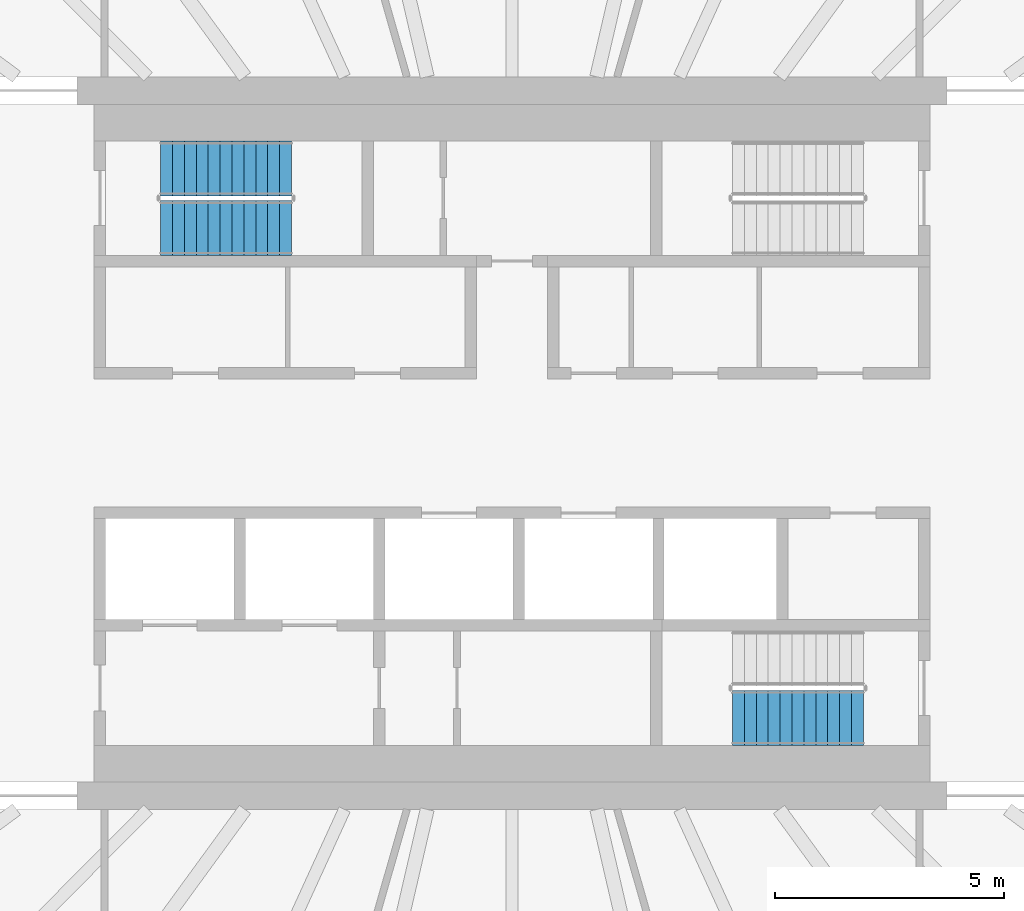
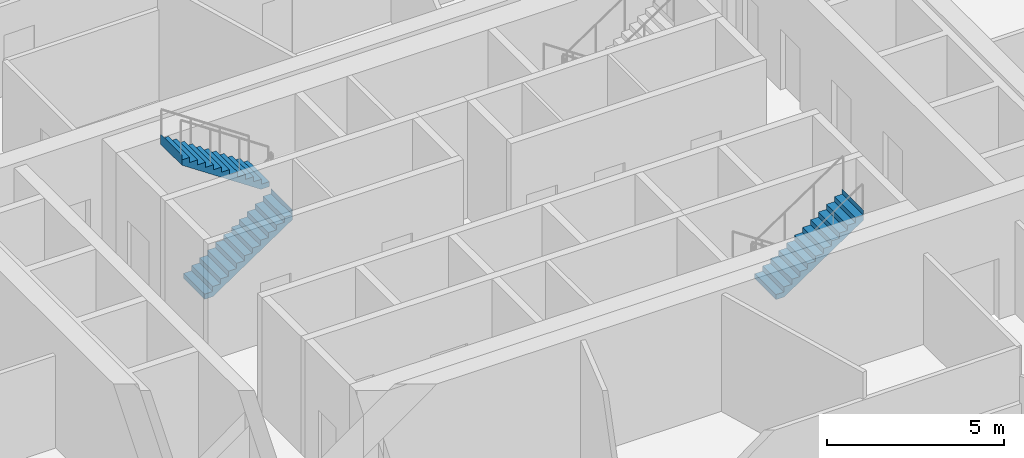
# One storey, part 16 of 23: 3 stair flights, 2 elements without a shape of their own.
"""IFC4 building model written with IfcOpenShell, lengths in metres."""

from ifc_helpers import new_model, si_unit, direction, frame, origin, place, context, subcontext, project, spatial, triangles, material, type_object, element, aggregate, save


model = new_model("IFC4")

# Units and contexts
model_context = context("Model", 3, precision=1e-05, world=origin(), true_north=direction((0.0, 1.0)))
body_context = subcontext(model_context, "Body", "Model", "MODEL_VIEW")
ifc_project = project(units=[si_unit("LENGTHUNIT", "METRE"), si_unit("AREAUNIT", "SQUARE_METRE"), si_unit("VOLUMEUNIT", "CUBIC_METRE"), si_unit("PLANEANGLEUNIT", "RADIAN"), si_unit("MASSUNIT", "GRAM", prefix="KILO")], contexts=[model_context])

# Site, building, storey
site_placement = place(None, origin())
site = spatial("IfcSite", under=ifc_project, at=site_placement, CompositionType="ELEMENT")
building_placement = place(site_placement, origin())
building = spatial("IfcBuilding", under=site, at=building_placement, Name="Sahrelin Media Tower", CompositionType="ELEMENT")
storey_placement = place(building_placement, frame((0.0, 0.0, 54.60009765625)))
storey = spatial("IfcBuildingStorey", under=building, at=storey_placement, Name="L08", CompositionType="ELEMENT", Elevation=54.60009765625)

# Stair, stair flights
ifc_material = material(Name="Concrete C40/50", Category="concrete")
stair_type = type_object("IfcStairType", Name="Exit stair 1200", PredefinedType="HALF_TURN_STAIR", material=ifc_material)
placement = place(storey_placement, origin())
stair_1 = element("IfcStair", 1, at=placement, inside=storey, type_object=stair_type, Name="L08 Exit stair ST1", PredefinedType="HALF_TURN_STAIR")
stair_flight_type = type_object("IfcStairFlightType", Name="Stair flight 1200", PredefinedType="STRAIGHT", material=ifc_material)
stair_flight_1_placement = place(storey_placement, frame((-7.675048828125, 4.699951171875, 0.0), z_axis=(0.0, 0.0, 1.0), x_axis=(1.0, 0.0, 0.0)))
stair_flight_1 = element("IfcStairFlight", 2, at=stair_flight_1_placement, type_object=stair_flight_type, Name="ST1 flight 1", NumberOfRisers=12, NumberOfTreads=11, PredefinedType="STRAIGHT", RiserHeight=0.175, TreadLength=0.26, context=body_context, shape_type="Tessellation", body=[
    triangles([(0.2685546875, 0.60009765625, 0.0), (0.2685546875, 0.300048828125, 0.0), (0.2685546875, 0.0, 0.0), (0.2685546875, -0.300048828125, 0.0), (0.2685546875, -0.60009765625, 0.0), (2.860107421875, 0.60009765625, 1.744384765625), (2.860107421875, 0.300048828125, 1.744384765625), (2.860107421875, 0.0, 1.744384765625), (2.860107421875, -0.300048828125, 1.744384765625), (2.860107421875, -0.60009765625, 1.744384765625), (2.860107421875, 0.60009765625, 2.10009765625), (2.860107421875, 0.300048828125, 2.10009765625), (2.860107421875, 0.0, 2.10009765625), (2.860107421875, -0.300048828125, 2.10009765625), (2.860107421875, -0.60009765625, 2.10009765625), (2.85791015625, 0.60009765625, 2.10009765625), (2.85791015625, 0.300048828125, 2.10009765625), (2.85791015625, 0.0, 2.10009765625), (2.85791015625, -0.300048828125, 2.10009765625), (2.85791015625, -0.60009765625, 2.10009765625), (2.85791015625, 0.60009765625, 1.925048828125), (2.85791015625, 0.300048828125, 1.925048828125), (2.85791015625, 0.0, 1.925048828125), (2.85791015625, -0.300048828125, 1.925048828125), (2.85791015625, -0.60009765625, 1.925048828125), (2.60009765625, 0.60009765625, 1.925048828125), (2.60009765625, 0.300048828125, 1.925048828125), (2.60009765625, 0.0, 1.925048828125), (2.60009765625, -0.300048828125, 1.925048828125), (2.60009765625, -0.60009765625, 1.925048828125), (2.60009765625, 0.60009765625, 1.75), (2.60009765625, 0.300048828125, 1.75), (2.60009765625, 0.0, 1.75), (2.60009765625, -0.300048828125, 1.75), (2.60009765625, -0.60009765625, 1.75), (2.340087890625, 0.60009765625, 1.75), (2.340087890625, 0.300048828125, 1.75), (2.340087890625, 0.0, 1.75), (2.340087890625, -0.300048828125, 1.75), (2.340087890625, -0.60009765625, 1.75), (2.340087890625, 0.60009765625, 1.574951171875), (2.340087890625, 0.300048828125, 1.574951171875), (2.340087890625, 0.0, 1.574951171875), (2.340087890625, -0.300048828125, 1.574951171875), (2.340087890625, -0.60009765625, 1.574951171875), (2.080078125, 0.60009765625, 1.574951171875), (2.080078125, 0.300048828125, 1.574951171875), (2.080078125, 0.0, 1.574951171875), (2.080078125, -0.300048828125, 1.574951171875), (2.080078125, -0.60009765625, 1.574951171875), (2.080078125, 0.60009765625, 1.39990234375), (2.080078125, 0.300048828125, 1.39990234375), (2.080078125, 0.0, 1.39990234375), (2.080078125, -0.300048828125, 1.39990234375), (2.080078125, -0.60009765625, 1.39990234375), (1.820068359375, 0.60009765625, 1.39990234375), (1.820068359375, 0.300048828125, 1.39990234375), (1.820068359375, 0.0, 1.39990234375), (1.820068359375, -0.300048828125, 1.39990234375), (1.820068359375, -0.60009765625, 1.39990234375), (1.820068359375, 0.60009765625, 1.22509765625), (1.820068359375, 0.300048828125, 1.22509765625), (1.820068359375, 0.0, 1.22509765625), (1.820068359375, -0.300048828125, 1.22509765625), (1.820068359375, -0.60009765625, 1.22509765625), (1.56005859375, 0.60009765625, 1.22509765625), (1.56005859375, 0.300048828125, 1.22509765625), (1.56005859375, 0.0, 1.22509765625), (1.56005859375, -0.300048828125, 1.22509765625), (1.56005859375, -0.60009765625, 1.22509765625), (1.56005859375, 0.60009765625, 1.050048828125), (1.56005859375, 0.300048828125, 1.050048828125), (1.56005859375, 0.0, 1.050048828125), (1.56005859375, -0.300048828125, 1.050048828125), (1.56005859375, -0.60009765625, 1.050048828125), (1.300048828125, 0.60009765625, 1.050048828125), (1.300048828125, 0.300048828125, 1.050048828125), (1.300048828125, 0.0, 1.050048828125), (1.300048828125, -0.300048828125, 1.050048828125), (1.300048828125, -0.60009765625, 1.050048828125), (1.300048828125, 0.60009765625, 0.875), (1.300048828125, 0.300048828125, 0.875), (1.300048828125, 0.0, 0.875), (1.300048828125, -0.300048828125, 0.875), (1.300048828125, -0.60009765625, 0.875), (1.0400390625, 0.60009765625, 0.875), (1.0400390625, 0.300048828125, 0.875), (1.0400390625, 0.0, 0.875), (1.0400390625, -0.300048828125, 0.875), (1.0400390625, -0.60009765625, 0.875), (1.0400390625, 0.60009765625, 0.699951171875), (1.0400390625, 0.300048828125, 0.699951171875), (1.0400390625, 0.0, 0.699951171875), (1.0400390625, -0.300048828125, 0.699951171875), (1.0400390625, -0.60009765625, 0.699951171875), (0.780029296875, 0.60009765625, 0.699951171875), (0.780029296875, 0.300048828125, 0.699951171875), (0.780029296875, 0.0, 0.699951171875), (0.780029296875, -0.300048828125, 0.699951171875), (0.780029296875, -0.60009765625, 0.699951171875), (0.780029296875, 0.60009765625, 0.52490234375), (0.780029296875, 0.300048828125, 0.52490234375), (0.780029296875, 0.0, 0.52490234375), (0.780029296875, -0.300048828125, 0.52490234375), (0.780029296875, -0.60009765625, 0.52490234375), (0.52001953125, 0.60009765625, 0.52490234375), (0.52001953125, 0.300048828125, 0.52490234375), (0.52001953125, 0.0, 0.52490234375), (0.52001953125, -0.300048828125, 0.52490234375), (0.52001953125, -0.60009765625, 0.52490234375), (0.52001953125, 0.60009765625, 0.35009765625), (0.52001953125, 0.300048828125, 0.35009765625), (0.52001953125, 0.0, 0.35009765625), (0.52001953125, -0.300048828125, 0.35009765625), (0.52001953125, -0.60009765625, 0.35009765625), (0.260009765625, 0.60009765625, 0.35009765625), (0.260009765625, 0.300048828125, 0.35009765625), (0.260009765625, 0.0, 0.35009765625), (0.260009765625, -0.300048828125, 0.35009765625), (0.260009765625, -0.60009765625, 0.35009765625), (0.260009765625, 0.60009765625, 0.175048828125), (0.260009765625, 0.300048828125, 0.175048828125), (0.260009765625, 0.0, 0.175048828125), (0.260009765625, -0.300048828125, 0.175048828125), (0.260009765625, -0.60009765625, 0.175048828125), (0.0, 0.60009765625, 0.175048828125), (0.0, 0.300048828125, 0.175048828125), (0.0, 0.0, 0.175048828125), (0.0, -0.300048828125, 0.175048828125), (0.0, -0.60009765625, 0.175048828125), (0.0, 0.60009765625, 0.0), (0.0, 0.300048828125, 0.0), (0.0, 0.0, 0.0), (0.0, -0.300048828125, 0.0), (0.0, -0.60009765625, 0.0)], [[1, 6, 7], [1, 7, 2], [2, 7, 8], [2, 8, 3], [3, 8, 9], [3, 9, 4], [4, 9, 10], [4, 10, 5], [6, 11, 12], [6, 12, 7], [7, 12, 13], [7, 13, 8], [8, 13, 14], [8, 14, 9], [9, 14, 15], [9, 15, 10], [11, 16, 17], [11, 17, 12], [12, 17, 18], [12, 18, 13], [13, 18, 19], [13, 19, 14], [14, 19, 20], [14, 20, 15], [16, 21, 22], [16, 22, 17], [17, 22, 23], [17, 23, 18], [18, 23, 24], [18, 24, 19], [19, 24, 25], [19, 25, 20], [21, 26, 27], [21, 27, 22], [22, 27, 28], [22, 28, 23], [23, 28, 29], [23, 29, 24], [24, 29, 30], [24, 30, 25], [26, 31, 32], [26, 32, 27], [27, 32, 33], [27, 33, 28], [28, 33, 34], [28, 34, 29], [29, 34, 35], [29, 35, 30], [31, 36, 37], [31, 37, 32], [32, 37, 38], [32, 38, 33], [33, 38, 39], [33, 39, 34], [34, 39, 40], [34, 40, 35], [36, 41, 42], [36, 42, 37], [37, 42, 43], [37, 43, 38], [38, 43, 44], [38, 44, 39], [39, 44, 45], [39, 45, 40], [41, 46, 47], [41, 47, 42], [42, 47, 48], [42, 48, 43], [43, 48, 49], [43, 49, 44], [44, 49, 50], [44, 50, 45], [46, 51, 52], [46, 52, 47], [47, 52, 53], [47, 53, 48], [48, 53, 54], [48, 54, 49], [49, 54, 55], [49, 55, 50], [51, 56, 57], [51, 57, 52], [52, 57, 58], [52, 58, 53], [53, 58, 59], [53, 59, 54], [54, 59, 60], [54, 60, 55], [56, 61, 62], [56, 62, 57], [57, 62, 63], [57, 63, 58], [58, 63, 64], [58, 64, 59], [59, 64, 65], [59, 65, 60], [61, 66, 67], [61, 67, 62], [62, 67, 68], [62, 68, 63], [63, 68, 69], [63, 69, 64], [64, 69, 70], [64, 70, 65], [66, 71, 72], [66, 72, 67], [67, 72, 73], [67, 73, 68], [68, 73, 74], [68, 74, 69], [69, 74, 75], [69, 75, 70], [71, 76, 77], [71, 77, 72], [72, 77, 78], [72, 78, 73], [73, 78, 79], [73, 79, 74], [74, 79, 80], [74, 80, 75], [76, 81, 82], [76, 82, 77], [77, 82, 83], [77, 83, 78], [78, 83, 84], [78, 84, 79], [79, 84, 85], [79, 85, 80], [81, 86, 87], [81, 87, 82], [82, 87, 88], [82, 88, 83], [83, 88, 89], [83, 89, 84], [84, 89, 90], [84, 90, 85], [86, 91, 92], [86, 92, 87], [87, 92, 93], [87, 93, 88], [88, 93, 94], [88, 94, 89], [89, 94, 95], [89, 95, 90], [91, 96, 97], [91, 97, 92], [92, 97, 98], [92, 98, 93], [93, 98, 99], [93, 99, 94], [94, 99, 100], [94, 100, 95], [96, 101, 102], [96, 102, 97], [97, 102, 103], [97, 103, 98], [98, 103, 104], [98, 104, 99], [99, 104, 105], [99, 105, 100], [101, 106, 107], [101, 107, 102], [102, 107, 108], [102, 108, 103], [103, 108, 109], [103, 109, 104], [104, 109, 110], [104, 110, 105], [106, 111, 112], [106, 112, 107], [107, 112, 113], [107, 113, 108], [108, 113, 114], [108, 114, 109], [109, 114, 115], [109, 115, 110], [111, 116, 117], [111, 117, 112], [112, 117, 118], [112, 118, 113], [113, 118, 119], [113, 119, 114], [114, 119, 120], [114, 120, 115], [116, 121, 122], [116, 122, 117], [117, 122, 123], [117, 123, 118], [118, 123, 124], [118, 124, 119], [119, 124, 125], [119, 125, 120], [121, 126, 127], [121, 127, 122], [122, 127, 128], [122, 128, 123], [123, 128, 129], [123, 129, 124], [124, 129, 130], [124, 130, 125], [126, 131, 132], [126, 132, 127], [127, 132, 133], [127, 133, 128], [128, 133, 134], [128, 134, 129], [129, 134, 135], [129, 135, 130], [131, 1, 2], [131, 2, 132], [132, 2, 3], [132, 3, 133], [133, 3, 4], [133, 4, 134], [134, 4, 5], [134, 5, 135], [125, 130, 135], [121, 131, 126], [125, 115, 120], [121, 116, 111], [115, 105, 110], [111, 106, 101], [105, 95, 100], [101, 96, 91], [95, 85, 90], [91, 86, 81], [85, 75, 80], [81, 76, 71], [75, 65, 70], [71, 66, 61], [65, 55, 60], [61, 56, 51], [55, 45, 50], [51, 46, 41], [45, 35, 40], [41, 36, 31], [35, 25, 30], [31, 26, 21], [25, 15, 20], [21, 16, 11], [135, 5, 125], [131, 121, 1], [95, 105, 5], [91, 1, 101], [5, 10, 75], [1, 71, 6], [10, 35, 45], [6, 41, 31], [25, 10, 15], [21, 11, 6], [115, 125, 5], [111, 1, 121], [75, 85, 5], [71, 1, 81], [35, 10, 25], [31, 21, 6], [105, 115, 5], [101, 1, 111], [45, 55, 10], [41, 6, 51], [85, 95, 5], [81, 1, 91], [65, 10, 55], [61, 51, 6], [10, 65, 75], [6, 71, 61]], closed=True),
])
stair_flight_2_placement = place(storey_placement, frame((-4.81494140625, 6.0, 2.099853515625), z_axis=(0.0, 0.0, 1.0), x_axis=(-1.0, 0.0, 0.0)))
stair_flight_2 = element("IfcStairFlight", 3, at=stair_flight_2_placement, type_object=stair_flight_type, Name="ST1 flight 2", NumberOfRisers=12, NumberOfTreads=11, PredefinedType="STRAIGHT", RiserHeight=0.175, TreadLength=0.26, context=body_context, shape_type="Tessellation", body=[
    triangles([(0.2685546875, 0.60009765625, 0.0), (0.2685546875, 0.300048828125, 0.0), (0.2685546875, 0.0, 0.0), (0.2685546875, -0.300048828125, 0.0), (0.2685546875, -0.60009765625, 0.0), (2.860107421875, 0.60009765625, 1.744384765625), (2.860107421875, 0.300048828125, 1.744384765625), (2.860107421875, 0.0, 1.744384765625), (2.860107421875, -0.300048828125, 1.744384765625), (2.860107421875, -0.60009765625, 1.744384765625), (2.860107421875, 0.60009765625, 2.10009765625), (2.860107421875, 0.300048828125, 2.10009765625), (2.860107421875, 0.0, 2.10009765625), (2.860107421875, -0.300048828125, 2.10009765625), (2.860107421875, -0.60009765625, 2.10009765625), (2.85791015625, 0.60009765625, 2.10009765625), (2.85791015625, 0.300048828125, 2.10009765625), (2.85791015625, 0.0, 2.10009765625), (2.85791015625, -0.300048828125, 2.10009765625), (2.85791015625, -0.60009765625, 2.10009765625), (2.85791015625, 0.60009765625, 1.925048828125), (2.85791015625, 0.300048828125, 1.925048828125), (2.85791015625, 0.0, 1.925048828125), (2.85791015625, -0.300048828125, 1.925048828125), (2.85791015625, -0.60009765625, 1.925048828125), (2.60009765625, 0.60009765625, 1.925048828125), (2.60009765625, 0.300048828125, 1.925048828125), (2.60009765625, 0.0, 1.925048828125), (2.60009765625, -0.300048828125, 1.925048828125), (2.60009765625, -0.60009765625, 1.925048828125), (2.60009765625, 0.60009765625, 1.75), (2.60009765625, 0.300048828125, 1.75), (2.60009765625, 0.0, 1.75), (2.60009765625, -0.300048828125, 1.75), (2.60009765625, -0.60009765625, 1.75), (2.340087890625, 0.60009765625, 1.75), (2.340087890625, 0.300048828125, 1.75), (2.340087890625, 0.0, 1.75), (2.340087890625, -0.300048828125, 1.75), (2.340087890625, -0.60009765625, 1.75), (2.340087890625, 0.60009765625, 1.574951171875), (2.340087890625, 0.300048828125, 1.574951171875), (2.340087890625, 0.0, 1.574951171875), (2.340087890625, -0.300048828125, 1.574951171875), (2.340087890625, -0.60009765625, 1.574951171875), (2.080078125, 0.60009765625, 1.574951171875), (2.080078125, 0.300048828125, 1.574951171875), (2.080078125, 0.0, 1.574951171875), (2.080078125, -0.300048828125, 1.574951171875), (2.080078125, -0.60009765625, 1.574951171875), (2.080078125, 0.60009765625, 1.39990234375), (2.080078125, 0.300048828125, 1.39990234375), (2.080078125, 0.0, 1.39990234375), (2.080078125, -0.300048828125, 1.39990234375), (2.080078125, -0.60009765625, 1.39990234375), (1.820068359375, 0.60009765625, 1.39990234375), (1.820068359375, 0.300048828125, 1.39990234375), (1.820068359375, 0.0, 1.39990234375), (1.820068359375, -0.300048828125, 1.39990234375), (1.820068359375, -0.60009765625, 1.39990234375), (1.820068359375, 0.60009765625, 1.22509765625), (1.820068359375, 0.300048828125, 1.22509765625), (1.820068359375, 0.0, 1.22509765625), (1.820068359375, -0.300048828125, 1.22509765625), (1.820068359375, -0.60009765625, 1.22509765625), (1.56005859375, 0.60009765625, 1.22509765625), (1.56005859375, 0.300048828125, 1.22509765625), (1.56005859375, 0.0, 1.22509765625), (1.56005859375, -0.300048828125, 1.22509765625), (1.56005859375, -0.60009765625, 1.22509765625), (1.56005859375, 0.60009765625, 1.050048828125), (1.56005859375, 0.300048828125, 1.050048828125), (1.56005859375, 0.0, 1.050048828125), (1.56005859375, -0.300048828125, 1.050048828125), (1.56005859375, -0.60009765625, 1.050048828125), (1.300048828125, 0.60009765625, 1.050048828125), (1.300048828125, 0.300048828125, 1.050048828125), (1.300048828125, 0.0, 1.050048828125), (1.300048828125, -0.300048828125, 1.050048828125), (1.300048828125, -0.60009765625, 1.050048828125), (1.300048828125, 0.60009765625, 0.875), (1.300048828125, 0.300048828125, 0.875), (1.300048828125, 0.0, 0.875), (1.300048828125, -0.300048828125, 0.875), (1.300048828125, -0.60009765625, 0.875), (1.0400390625, 0.60009765625, 0.875), (1.0400390625, 0.300048828125, 0.875), (1.0400390625, 0.0, 0.875), (1.0400390625, -0.300048828125, 0.875), (1.0400390625, -0.60009765625, 0.875), (1.0400390625, 0.60009765625, 0.699951171875), (1.0400390625, 0.300048828125, 0.699951171875), (1.0400390625, 0.0, 0.699951171875), (1.0400390625, -0.300048828125, 0.699951171875), (1.0400390625, -0.60009765625, 0.699951171875), (0.780029296875, 0.60009765625, 0.699951171875), (0.780029296875, 0.300048828125, 0.699951171875), (0.780029296875, 0.0, 0.699951171875), (0.780029296875, -0.300048828125, 0.699951171875), (0.780029296875, -0.60009765625, 0.699951171875), (0.780029296875, 0.60009765625, 0.52490234375), (0.780029296875, 0.300048828125, 0.52490234375), (0.780029296875, 0.0, 0.52490234375), (0.780029296875, -0.300048828125, 0.52490234375), (0.780029296875, -0.60009765625, 0.52490234375), (0.52001953125, 0.60009765625, 0.52490234375), (0.52001953125, 0.300048828125, 0.52490234375), (0.52001953125, 0.0, 0.52490234375), (0.52001953125, -0.300048828125, 0.52490234375), (0.52001953125, -0.60009765625, 0.52490234375), (0.52001953125, 0.60009765625, 0.35009765625), (0.52001953125, 0.300048828125, 0.35009765625), (0.52001953125, 0.0, 0.35009765625), (0.52001953125, -0.300048828125, 0.35009765625), (0.52001953125, -0.60009765625, 0.35009765625), (0.260009765625, 0.60009765625, 0.35009765625), (0.260009765625, 0.300048828125, 0.35009765625), (0.260009765625, 0.0, 0.35009765625), (0.260009765625, -0.300048828125, 0.35009765625), (0.260009765625, -0.60009765625, 0.35009765625), (0.260009765625, 0.60009765625, 0.175048828125), (0.260009765625, 0.300048828125, 0.175048828125), (0.260009765625, 0.0, 0.175048828125), (0.260009765625, -0.300048828125, 0.175048828125), (0.260009765625, -0.60009765625, 0.175048828125), (0.0, 0.60009765625, 0.175048828125), (0.0, 0.300048828125, 0.175048828125), (0.0, 0.0, 0.175048828125), (0.0, -0.300048828125, 0.175048828125), (0.0, -0.60009765625, 0.175048828125), (0.0, 0.60009765625, 0.0), (0.0, 0.300048828125, 0.0), (0.0, 0.0, 0.0), (0.0, -0.300048828125, 0.0), (0.0, -0.60009765625, 0.0)], [[1, 6, 7], [1, 7, 2], [2, 7, 8], [2, 8, 3], [3, 8, 9], [3, 9, 4], [4, 9, 10], [4, 10, 5], [6, 11, 12], [6, 12, 7], [7, 12, 13], [7, 13, 8], [8, 13, 14], [8, 14, 9], [9, 14, 15], [9, 15, 10], [11, 16, 17], [11, 17, 12], [12, 17, 18], [12, 18, 13], [13, 18, 19], [13, 19, 14], [14, 19, 20], [14, 20, 15], [16, 21, 22], [16, 22, 17], [17, 22, 23], [17, 23, 18], [18, 23, 24], [18, 24, 19], [19, 24, 25], [19, 25, 20], [21, 26, 27], [21, 27, 22], [22, 27, 28], [22, 28, 23], [23, 28, 29], [23, 29, 24], [24, 29, 30], [24, 30, 25], [26, 31, 32], [26, 32, 27], [27, 32, 33], [27, 33, 28], [28, 33, 34], [28, 34, 29], [29, 34, 35], [29, 35, 30], [31, 36, 37], [31, 37, 32], [32, 37, 38], [32, 38, 33], [33, 38, 39], [33, 39, 34], [34, 39, 40], [34, 40, 35], [36, 41, 42], [36, 42, 37], [37, 42, 43], [37, 43, 38], [38, 43, 44], [38, 44, 39], [39, 44, 45], [39, 45, 40], [41, 46, 47], [41, 47, 42], [42, 47, 48], [42, 48, 43], [43, 48, 49], [43, 49, 44], [44, 49, 50], [44, 50, 45], [46, 51, 52], [46, 52, 47], [47, 52, 53], [47, 53, 48], [48, 53, 54], [48, 54, 49], [49, 54, 55], [49, 55, 50], [51, 56, 57], [51, 57, 52], [52, 57, 58], [52, 58, 53], [53, 58, 59], [53, 59, 54], [54, 59, 60], [54, 60, 55], [56, 61, 62], [56, 62, 57], [57, 62, 63], [57, 63, 58], [58, 63, 64], [58, 64, 59], [59, 64, 65], [59, 65, 60], [61, 66, 67], [61, 67, 62], [62, 67, 68], [62, 68, 63], [63, 68, 69], [63, 69, 64], [64, 69, 70], [64, 70, 65], [66, 71, 72], [66, 72, 67], [67, 72, 73], [67, 73, 68], [68, 73, 74], [68, 74, 69], [69, 74, 75], [69, 75, 70], [71, 76, 77], [71, 77, 72], [72, 77, 78], [72, 78, 73], [73, 78, 79], [73, 79, 74], [74, 79, 80], [74, 80, 75], [76, 81, 82], [76, 82, 77], [77, 82, 83], [77, 83, 78], [78, 83, 84], [78, 84, 79], [79, 84, 85], [79, 85, 80], [81, 86, 87], [81, 87, 82], [82, 87, 88], [82, 88, 83], [83, 88, 89], [83, 89, 84], [84, 89, 90], [84, 90, 85], [86, 91, 92], [86, 92, 87], [87, 92, 93], [87, 93, 88], [88, 93, 94], [88, 94, 89], [89, 94, 95], [89, 95, 90], [91, 96, 97], [91, 97, 92], [92, 97, 98], [92, 98, 93], [93, 98, 99], [93, 99, 94], [94, 99, 100], [94, 100, 95], [96, 101, 102], [96, 102, 97], [97, 102, 103], [97, 103, 98], [98, 103, 104], [98, 104, 99], [99, 104, 105], [99, 105, 100], [101, 106, 107], [101, 107, 102], [102, 107, 108], [102, 108, 103], [103, 108, 109], [103, 109, 104], [104, 109, 110], [104, 110, 105], [106, 111, 112], [106, 112, 107], [107, 112, 113], [107, 113, 108], [108, 113, 114], [108, 114, 109], [109, 114, 115], [109, 115, 110], [111, 116, 117], [111, 117, 112], [112, 117, 118], [112, 118, 113], [113, 118, 119], [113, 119, 114], [114, 119, 120], [114, 120, 115], [116, 121, 122], [116, 122, 117], [117, 122, 123], [117, 123, 118], [118, 123, 124], [118, 124, 119], [119, 124, 125], [119, 125, 120], [121, 126, 127], [121, 127, 122], [122, 127, 128], [122, 128, 123], [123, 128, 129], [123, 129, 124], [124, 129, 130], [124, 130, 125], [126, 131, 132], [126, 132, 127], [127, 132, 133], [127, 133, 128], [128, 133, 134], [128, 134, 129], [129, 134, 135], [129, 135, 130], [131, 1, 2], [131, 2, 132], [132, 2, 3], [132, 3, 133], [133, 3, 4], [133, 4, 134], [134, 4, 5], [134, 5, 135], [125, 130, 135], [121, 131, 126], [125, 115, 120], [121, 116, 111], [115, 105, 110], [111, 106, 101], [105, 95, 100], [101, 96, 91], [95, 85, 90], [91, 86, 81], [85, 75, 80], [81, 76, 71], [75, 65, 70], [71, 66, 61], [65, 55, 60], [61, 56, 51], [55, 45, 50], [51, 46, 41], [45, 35, 40], [41, 36, 31], [35, 25, 30], [31, 26, 21], [25, 15, 20], [21, 16, 11], [135, 5, 125], [131, 121, 1], [95, 105, 5], [91, 1, 101], [5, 10, 75], [1, 71, 6], [10, 35, 45], [6, 41, 31], [25, 10, 15], [21, 11, 6], [115, 125, 5], [111, 1, 121], [75, 85, 5], [71, 1, 81], [35, 10, 25], [31, 21, 6], [105, 115, 5], [101, 1, 111], [45, 55, 10], [41, 6, 51], [85, 95, 5], [81, 1, 91], [65, 10, 55], [61, 51, 6], [10, 65, 75], [6, 71, 61]], closed=True),
])
aggregate(stair_1, [stair_flight_1, stair_flight_2])

# Stair, stair flight
stair_2 = element("IfcStair", 4, at=placement, inside=storey, type_object=stair_type, Name="L08 Exit stair ST2", PredefinedType="HALF_TURN_STAIR")
stair_flight_3_placement = place(storey_placement, frame((4.81494140625, -6.0, 2.099853515625), z_axis=(0.0, 0.0, 1.0), x_axis=(1.0, 0.0, 0.0)))
stair_flight_3 = element("IfcStairFlight", 5, at=stair_flight_3_placement, type_object=stair_flight_type, Name="ST2 flight 2", NumberOfRisers=12, NumberOfTreads=11, PredefinedType="STRAIGHT", RiserHeight=0.175, TreadLength=0.26, context=body_context, shape_type="Tessellation", body=[
    triangles([(0.2685546875, 0.60009765625, 0.0), (0.2685546875, 0.300048828125, 0.0), (0.2685546875, 0.0, 0.0), (0.2685546875, -0.300048828125, 0.0), (0.2685546875, -0.60009765625, 0.0), (2.860107421875, 0.60009765625, 1.744384765625), (2.860107421875, 0.300048828125, 1.744384765625), (2.860107421875, 0.0, 1.744384765625), (2.860107421875, -0.300048828125, 1.744384765625), (2.860107421875, -0.60009765625, 1.744384765625), (2.860107421875, 0.60009765625, 2.10009765625), (2.860107421875, 0.300048828125, 2.10009765625), (2.860107421875, 0.0, 2.10009765625), (2.860107421875, -0.300048828125, 2.10009765625), (2.860107421875, -0.60009765625, 2.10009765625), (2.85791015625, 0.60009765625, 2.10009765625), (2.85791015625, 0.300048828125, 2.10009765625), (2.85791015625, 0.0, 2.10009765625), (2.85791015625, -0.300048828125, 2.10009765625), (2.85791015625, -0.60009765625, 2.10009765625), (2.85791015625, 0.60009765625, 1.925048828125), (2.85791015625, 0.300048828125, 1.925048828125), (2.85791015625, 0.0, 1.925048828125), (2.85791015625, -0.300048828125, 1.925048828125), (2.85791015625, -0.60009765625, 1.925048828125), (2.60009765625, 0.60009765625, 1.925048828125), (2.60009765625, 0.300048828125, 1.925048828125), (2.60009765625, 0.0, 1.925048828125), (2.60009765625, -0.300048828125, 1.925048828125), (2.60009765625, -0.60009765625, 1.925048828125), (2.60009765625, 0.60009765625, 1.75), (2.60009765625, 0.300048828125, 1.75), (2.60009765625, 0.0, 1.75), (2.60009765625, -0.300048828125, 1.75), (2.60009765625, -0.60009765625, 1.75), (2.340087890625, 0.60009765625, 1.75), (2.340087890625, 0.300048828125, 1.75), (2.340087890625, 0.0, 1.75), (2.340087890625, -0.300048828125, 1.75), (2.340087890625, -0.60009765625, 1.75), (2.340087890625, 0.60009765625, 1.574951171875), (2.340087890625, 0.300048828125, 1.574951171875), (2.340087890625, 0.0, 1.574951171875), (2.340087890625, -0.300048828125, 1.574951171875), (2.340087890625, -0.60009765625, 1.574951171875), (2.080078125, 0.60009765625, 1.574951171875), (2.080078125, 0.300048828125, 1.574951171875), (2.080078125, 0.0, 1.574951171875), (2.080078125, -0.300048828125, 1.574951171875), (2.080078125, -0.60009765625, 1.574951171875), (2.080078125, 0.60009765625, 1.39990234375), (2.080078125, 0.300048828125, 1.39990234375), (2.080078125, 0.0, 1.39990234375), (2.080078125, -0.300048828125, 1.39990234375), (2.080078125, -0.60009765625, 1.39990234375), (1.820068359375, 0.60009765625, 1.39990234375), (1.820068359375, 0.300048828125, 1.39990234375), (1.820068359375, 0.0, 1.39990234375), (1.820068359375, -0.300048828125, 1.39990234375), (1.820068359375, -0.60009765625, 1.39990234375), (1.820068359375, 0.60009765625, 1.22509765625), (1.820068359375, 0.300048828125, 1.22509765625), (1.820068359375, 0.0, 1.22509765625), (1.820068359375, -0.300048828125, 1.22509765625), (1.820068359375, -0.60009765625, 1.22509765625), (1.56005859375, 0.60009765625, 1.22509765625), (1.56005859375, 0.300048828125, 1.22509765625), (1.56005859375, 0.0, 1.22509765625), (1.56005859375, -0.300048828125, 1.22509765625), (1.56005859375, -0.60009765625, 1.22509765625), (1.56005859375, 0.60009765625, 1.050048828125), (1.56005859375, 0.300048828125, 1.050048828125), (1.56005859375, 0.0, 1.050048828125), (1.56005859375, -0.300048828125, 1.050048828125), (1.56005859375, -0.60009765625, 1.050048828125), (1.300048828125, 0.60009765625, 1.050048828125), (1.300048828125, 0.300048828125, 1.050048828125), (1.300048828125, 0.0, 1.050048828125), (1.300048828125, -0.300048828125, 1.050048828125), (1.300048828125, -0.60009765625, 1.050048828125), (1.300048828125, 0.60009765625, 0.875), (1.300048828125, 0.300048828125, 0.875), (1.300048828125, 0.0, 0.875), (1.300048828125, -0.300048828125, 0.875), (1.300048828125, -0.60009765625, 0.875), (1.0400390625, 0.60009765625, 0.875), (1.0400390625, 0.300048828125, 0.875), (1.0400390625, 0.0, 0.875), (1.0400390625, -0.300048828125, 0.875), (1.0400390625, -0.60009765625, 0.875), (1.0400390625, 0.60009765625, 0.699951171875), (1.0400390625, 0.300048828125, 0.699951171875), (1.0400390625, 0.0, 0.699951171875), (1.0400390625, -0.300048828125, 0.699951171875), (1.0400390625, -0.60009765625, 0.699951171875), (0.780029296875, 0.60009765625, 0.699951171875), (0.780029296875, 0.300048828125, 0.699951171875), (0.780029296875, 0.0, 0.699951171875), (0.780029296875, -0.300048828125, 0.699951171875), (0.780029296875, -0.60009765625, 0.699951171875), (0.780029296875, 0.60009765625, 0.52490234375), (0.780029296875, 0.300048828125, 0.52490234375), (0.780029296875, 0.0, 0.52490234375), (0.780029296875, -0.300048828125, 0.52490234375), (0.780029296875, -0.60009765625, 0.52490234375), (0.52001953125, 0.60009765625, 0.52490234375), (0.52001953125, 0.300048828125, 0.52490234375), (0.52001953125, 0.0, 0.52490234375), (0.52001953125, -0.300048828125, 0.52490234375), (0.52001953125, -0.60009765625, 0.52490234375), (0.52001953125, 0.60009765625, 0.35009765625), (0.52001953125, 0.300048828125, 0.35009765625), (0.52001953125, 0.0, 0.35009765625), (0.52001953125, -0.300048828125, 0.35009765625), (0.52001953125, -0.60009765625, 0.35009765625), (0.260009765625, 0.60009765625, 0.35009765625), (0.260009765625, 0.300048828125, 0.35009765625), (0.260009765625, 0.0, 0.35009765625), (0.260009765625, -0.300048828125, 0.35009765625), (0.260009765625, -0.60009765625, 0.35009765625), (0.260009765625, 0.60009765625, 0.175048828125), (0.260009765625, 0.300048828125, 0.175048828125), (0.260009765625, 0.0, 0.175048828125), (0.260009765625, -0.300048828125, 0.175048828125), (0.260009765625, -0.60009765625, 0.175048828125), (0.0, 0.60009765625, 0.175048828125), (0.0, 0.300048828125, 0.175048828125), (0.0, 0.0, 0.175048828125), (0.0, -0.300048828125, 0.175048828125), (0.0, -0.60009765625, 0.175048828125), (0.0, 0.60009765625, 0.0), (0.0, 0.300048828125, 0.0), (0.0, 0.0, 0.0), (0.0, -0.300048828125, 0.0), (0.0, -0.60009765625, 0.0)], [[1, 6, 7], [1, 7, 2], [2, 7, 8], [2, 8, 3], [3, 8, 9], [3, 9, 4], [4, 9, 10], [4, 10, 5], [6, 11, 12], [6, 12, 7], [7, 12, 13], [7, 13, 8], [8, 13, 14], [8, 14, 9], [9, 14, 15], [9, 15, 10], [11, 16, 17], [11, 17, 12], [12, 17, 18], [12, 18, 13], [13, 18, 19], [13, 19, 14], [14, 19, 20], [14, 20, 15], [16, 21, 22], [16, 22, 17], [17, 22, 23], [17, 23, 18], [18, 23, 24], [18, 24, 19], [19, 24, 25], [19, 25, 20], [21, 26, 27], [21, 27, 22], [22, 27, 28], [22, 28, 23], [23, 28, 29], [23, 29, 24], [24, 29, 30], [24, 30, 25], [26, 31, 32], [26, 32, 27], [27, 32, 33], [27, 33, 28], [28, 33, 34], [28, 34, 29], [29, 34, 35], [29, 35, 30], [31, 36, 37], [31, 37, 32], [32, 37, 38], [32, 38, 33], [33, 38, 39], [33, 39, 34], [34, 39, 40], [34, 40, 35], [36, 41, 42], [36, 42, 37], [37, 42, 43], [37, 43, 38], [38, 43, 44], [38, 44, 39], [39, 44, 45], [39, 45, 40], [41, 46, 47], [41, 47, 42], [42, 47, 48], [42, 48, 43], [43, 48, 49], [43, 49, 44], [44, 49, 50], [44, 50, 45], [46, 51, 52], [46, 52, 47], [47, 52, 53], [47, 53, 48], [48, 53, 54], [48, 54, 49], [49, 54, 55], [49, 55, 50], [51, 56, 57], [51, 57, 52], [52, 57, 58], [52, 58, 53], [53, 58, 59], [53, 59, 54], [54, 59, 60], [54, 60, 55], [56, 61, 62], [56, 62, 57], [57, 62, 63], [57, 63, 58], [58, 63, 64], [58, 64, 59], [59, 64, 65], [59, 65, 60], [61, 66, 67], [61, 67, 62], [62, 67, 68], [62, 68, 63], [63, 68, 69], [63, 69, 64], [64, 69, 70], [64, 70, 65], [66, 71, 72], [66, 72, 67], [67, 72, 73], [67, 73, 68], [68, 73, 74], [68, 74, 69], [69, 74, 75], [69, 75, 70], [71, 76, 77], [71, 77, 72], [72, 77, 78], [72, 78, 73], [73, 78, 79], [73, 79, 74], [74, 79, 80], [74, 80, 75], [76, 81, 82], [76, 82, 77], [77, 82, 83], [77, 83, 78], [78, 83, 84], [78, 84, 79], [79, 84, 85], [79, 85, 80], [81, 86, 87], [81, 87, 82], [82, 87, 88], [82, 88, 83], [83, 88, 89], [83, 89, 84], [84, 89, 90], [84, 90, 85], [86, 91, 92], [86, 92, 87], [87, 92, 93], [87, 93, 88], [88, 93, 94], [88, 94, 89], [89, 94, 95], [89, 95, 90], [91, 96, 97], [91, 97, 92], [92, 97, 98], [92, 98, 93], [93, 98, 99], [93, 99, 94], [94, 99, 100], [94, 100, 95], [96, 101, 102], [96, 102, 97], [97, 102, 103], [97, 103, 98], [98, 103, 104], [98, 104, 99], [99, 104, 105], [99, 105, 100], [101, 106, 107], [101, 107, 102], [102, 107, 108], [102, 108, 103], [103, 108, 109], [103, 109, 104], [104, 109, 110], [104, 110, 105], [106, 111, 112], [106, 112, 107], [107, 112, 113], [107, 113, 108], [108, 113, 114], [108, 114, 109], [109, 114, 115], [109, 115, 110], [111, 116, 117], [111, 117, 112], [112, 117, 118], [112, 118, 113], [113, 118, 119], [113, 119, 114], [114, 119, 120], [114, 120, 115], [116, 121, 122], [116, 122, 117], [117, 122, 123], [117, 123, 118], [118, 123, 124], [118, 124, 119], [119, 124, 125], [119, 125, 120], [121, 126, 127], [121, 127, 122], [122, 127, 128], [122, 128, 123], [123, 128, 129], [123, 129, 124], [124, 129, 130], [124, 130, 125], [126, 131, 132], [126, 132, 127], [127, 132, 133], [127, 133, 128], [128, 133, 134], [128, 134, 129], [129, 134, 135], [129, 135, 130], [131, 1, 2], [131, 2, 132], [132, 2, 3], [132, 3, 133], [133, 3, 4], [133, 4, 134], [134, 4, 5], [134, 5, 135], [125, 130, 135], [121, 131, 126], [125, 115, 120], [121, 116, 111], [115, 105, 110], [111, 106, 101], [105, 95, 100], [101, 96, 91], [95, 85, 90], [91, 86, 81], [85, 75, 80], [81, 76, 71], [75, 65, 70], [71, 66, 61], [65, 55, 60], [61, 56, 51], [55, 45, 50], [51, 46, 41], [45, 35, 40], [41, 36, 31], [35, 25, 30], [31, 26, 21], [25, 15, 20], [21, 16, 11], [135, 5, 125], [131, 121, 1], [95, 105, 5], [91, 1, 101], [5, 10, 75], [1, 71, 6], [10, 35, 45], [6, 41, 31], [25, 10, 15], [21, 11, 6], [115, 125, 5], [111, 1, 121], [75, 85, 5], [71, 1, 81], [35, 10, 25], [31, 21, 6], [105, 115, 5], [101, 1, 111], [45, 55, 10], [41, 6, 51], [85, 95, 5], [81, 1, 91], [65, 10, 55], [61, 51, 6], [10, 65, 75], [6, 71, 61]], closed=True),
])
aggregate(stair_2, [stair_flight_3])

save(model, "model.ifc")
